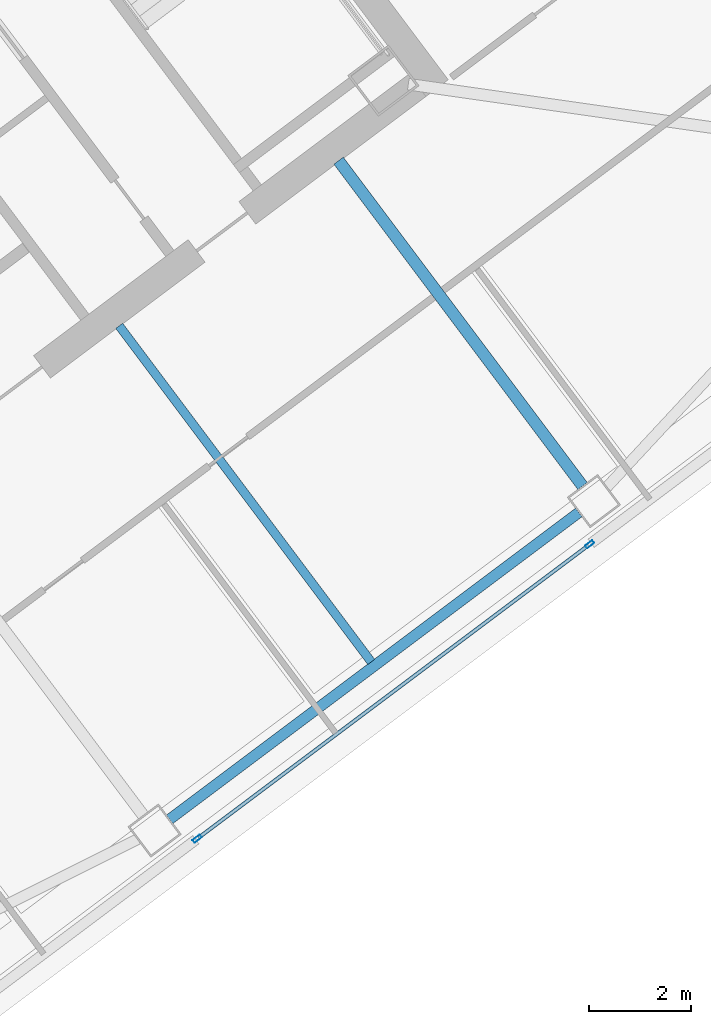
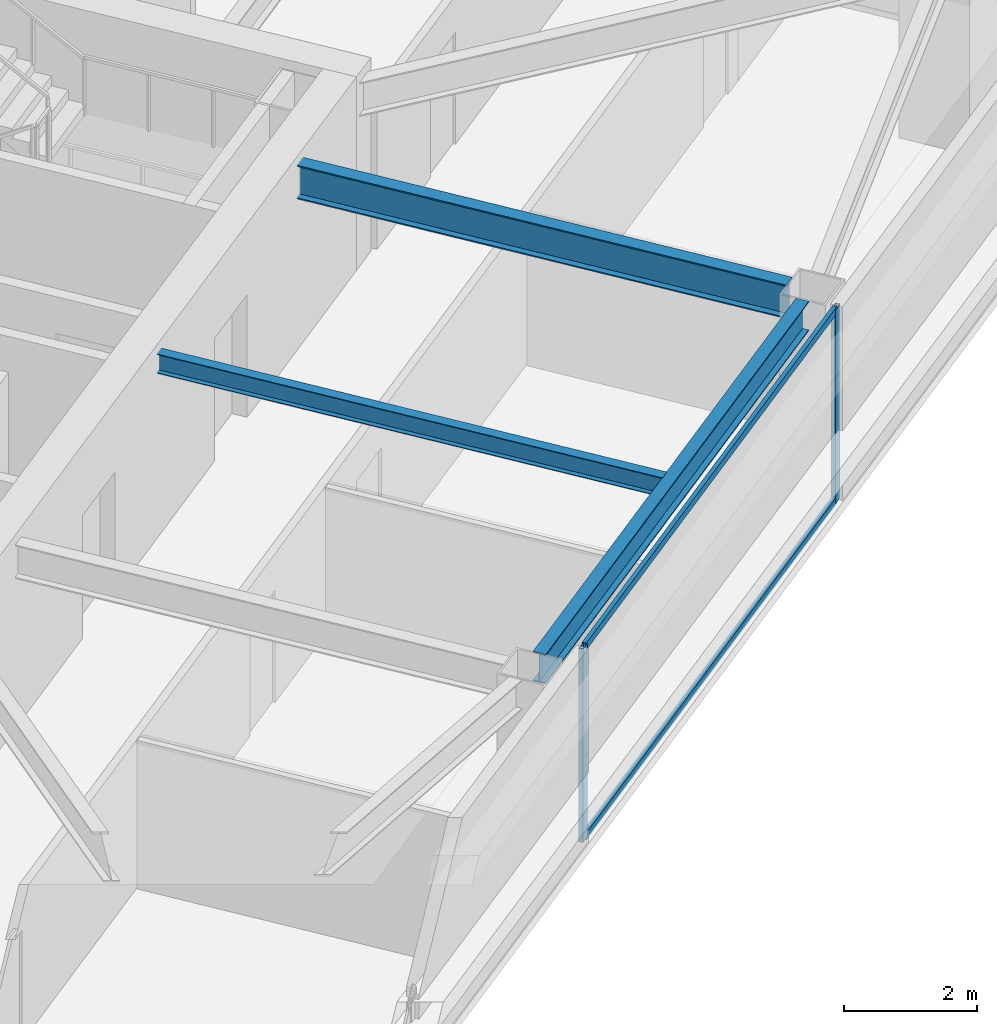
# One storey, part 22 of 41: 4 members, 3 beams, 1 element without a shape of its own.
"""IFC4 building model written with IfcOpenShell, lengths in metres."""

from ifc_helpers import new_model, si_unit, direction, frame, origin, origin_2d, place, context, subcontext, project, spatial, hollow_rectangle, i_section, extrude, material, material_profile, profile_set, type_object, element, aggregate, save


model = new_model("IFC4")

# Units and contexts
model_context = context("Model", 3, precision=1e-05, world=origin(), true_north=direction((0.0, 1.0)))
body_context = subcontext(model_context, "Body", "Model", "MODEL_VIEW")
ifc_project = project(units=[si_unit("LENGTHUNIT", "METRE"), si_unit("AREAUNIT", "SQUARE_METRE"), si_unit("VOLUMEUNIT", "CUBIC_METRE"), si_unit("PLANEANGLEUNIT", "RADIAN"), si_unit("MASSUNIT", "GRAM", prefix="KILO")], contexts=[model_context])

# Site, building, storey
site_placement = place(None, origin())
site = spatial("IfcSite", under=ifc_project, at=site_placement, CompositionType="ELEMENT")
building_placement = place(site_placement, origin())
building = spatial("IfcBuilding", under=site, at=building_placement, Name="Tashvorn Skyway Center", CompositionType="ELEMENT")
storey_placement = place(building_placement, frame((0.0, 0.0, 171.199951171875)))
storey = spatial("IfcBuildingStorey", under=building, at=storey_placement, Name="L46", CompositionType="ELEMENT", Elevation=171.199951171875)

# Beams
ifc_material_1 = material(Name="Steel ASTM A992 Grade 50", Category="steel")
ifc_material_profile_1 = material_profile(ifc_material_1, i_section(OverallWidth=0.22998046875, OverallDepth=0.616943359375, WebThickness=0.01318359375, FlangeThickness=0.022216796875, at=origin_2d()), Name="W24X94")
ifc_profile_set_1 = profile_set([ifc_material_profile_1], Name="Steel ASTM A992 Grade 50")
beam_type_1 = type_object("IfcBeamType", Name="BM-BEAM-W24X94", PredefinedType="BEAM", material=ifc_profile_set_1)
beam_1_placement = place(storey_placement, frame((127.7880859375, 22.615966796875, 3.0615234375), z_axis=(-0.599995117266, 0.800003662027, 0.0), x_axis=(-0.800003662027, -0.599995117266, 0.0)))
element("IfcBeam", 1, at=beam_1_placement, inside=storey, type_object=beam_type_1, Name="Tower 2 L46 Primary Floor Girder FC-S2", PredefinedType="BEAM", context=body_context, shape_type="SweptSolid", body=[
    extrude(i_section(OverallWidth=0.22998046875, OverallDepth=0.616943359375, WebThickness=0.01318359375, FlangeThickness=0.022216796875, at=origin_2d()), origin(), (0.0, 0.0, 1.0), 8.000244140625),
])
ifc_material_profile_2 = material_profile(ifc_material_1, i_section(OverallWidth=0.1708984375, OverallDepth=0.35498046875, WebThickness=0.007080078125, FlangeThickness=0.01171875, at=origin_2d()), Name="W14X34")
ifc_profile_set_2 = profile_set([ifc_material_profile_2], Name="Steel ASTM A992 Grade 50")
beam_type_2 = type_object("IfcBeamType", Name="BM-JOIST-W14X34", PredefinedType="JOIST", material=ifc_profile_set_2)
beam_2_placement = place(storey_placement, frame((118.674072265625, 25.76806640625, 3.192626953125), z_axis=(0.59999527236, -0.800003545708, 0.0), x_axis=(0.800003545708, 0.59999527236, 0.0)))
element("IfcBeam", 2, at=beam_2_placement, inside=storey, type_object=beam_type_2, Name="Tower 2 L46 Secondary Composite Joist JS", PredefinedType="JOIST", context=body_context, shape_type="SweptSolid", body=[
    extrude(i_section(OverallWidth=0.1708984375, OverallDepth=0.35498046875, WebThickness=0.007080078125, FlangeThickness=0.01171875, at=origin_2d()), origin(), (0.0, 0.0, 1.0), 8.2626953125),
])
ifc_material_profile_3 = material_profile(ifc_material_1, i_section(OverallWidth=0.2109375, OverallDepth=0.5390625, WebThickness=0.01171875, FlangeThickness=0.018798828125, at=origin_2d()), Name="W21X73")
ifc_profile_set_3 = profile_set([ifc_material_profile_3], Name="Steel ASTM A992 Grade 50")
beam_type_3 = type_object("IfcBeamType", Name="BM-SPANDREL-W21X73", PredefinedType="SPANDREL", material=ifc_profile_set_3)
beam_3_placement = place(storey_placement, frame((119.666015625, 16.06201171875, 3.1005859375), z_axis=(0.800008736549, 0.599988351091, 0.0), x_axis=(-0.599988351091, 0.800008736549, 0.0)))
element("IfcBeam", 3, at=beam_3_placement, inside=storey, type_object=beam_type_3, Name="Tower 2 L46 Spandrel Beam 02", PredefinedType="SPANDREL", context=body_context, shape_type="SweptSolid", body=[
    extrude(i_section(OverallWidth=0.2109375, OverallDepth=0.5390625, WebThickness=0.01171875, FlangeThickness=0.018798828125, at=origin_2d()), origin(), (0.0, 0.0, 1.0), 10.06005859375),
])

# Curtain wall, members
ifc_material_2 = material(Name="Thermally broken bronze-anodized aluminium 6063-T6", Category="aluminium")
curtain_wall_type = type_object("IfcCurtainWallType", Name="CW-CW-Z4", PredefinedType="NOTDEFINED", material=ifc_material_2)
curtain_wall_placement = place(storey_placement, origin())
curtain_wall = element("IfcCurtainWall", 4, at=curtain_wall_placement, inside=storey, type_object=curtain_wall_type, Name="Tower 2 L46 South Unitised Curtain Wall Glazing Group 2", PredefinedType="NOTDEFINED")
ifc_material_profile_4 = material_profile(ifc_material_2, hollow_rectangle(XDim=0.070068359375, YDim=0.179931640625, WallThickness=0.00390625, at=origin_2d()), Name="ALU-MULL-70x180")
ifc_profile_set_4 = profile_set([ifc_material_profile_4], Name="Thermally broken bronze-anodized aluminium 6063-T6")
member_type_1 = type_object("IfcMemberType", Name="CWM-CW-Z4", PredefinedType="MULLION", material=ifc_profile_set_4)
member_1_placement = place(storey_placement, frame((127.927978515625, 21.470947265625, 0.0), z_axis=(0.0, 0.0, 1.0), x_axis=(0.600000000002, -0.799999999998, 0.0)))
member_1 = element("IfcMember", 5, at=member_1_placement, type_object=member_type_1, Name="CW-Z4 mullion 1", PredefinedType="MULLION", context=body_context, shape_type="SweptSolid", body=[
    extrude(hollow_rectangle(XDim=0.070068359375, YDim=0.179931640625, WallThickness=0.00390625, at=origin_2d()), origin(), (0.0, 0.0, 1.0), 3.550048828125),
])
member_2_placement = place(storey_placement, frame((120.2080078125, 15.680908203125, 0.0), z_axis=(0.0, 0.0, 1.0), x_axis=(0.600000000002, -0.799999999998, 0.0)))
member_2 = element("IfcMember", 6, at=member_2_placement, type_object=member_type_1, Name="CW-Z4 mullion 2", PredefinedType="MULLION", context=body_context, shape_type="SweptSolid", body=[
    extrude(hollow_rectangle(XDim=0.070068359375, YDim=0.179931640625, WallThickness=0.00390625, at=origin_2d()), origin(), (0.0, 0.0, 1.0), 3.550048828125),
])
ifc_material_profile_5 = material_profile(ifc_material_2, hollow_rectangle(XDim=0.070068359375, YDim=0.1298828125, WallThickness=0.00390625, at=origin_2d()), Name="ALU-TRAN-70x130")
ifc_profile_set_5 = profile_set([ifc_material_profile_5], Name="Thermally broken bronze-anodized aluminium 6063-T6")
member_type_2 = type_object("IfcMemberType", Name="CWT-CW-Z4", PredefinedType="USERDEFINED", material=ifc_profile_set_5)
member_3_placement = place(storey_placement, frame((127.89990234375, 21.449951171875, 0.03515625), z_axis=(-0.799990825408, -0.600012232595, 0.0), x_axis=(0.600012232595, -0.799990825408, 0.0)))
member_3 = element("IfcMember", 7, at=member_3_placement, type_object=member_type_2, Name="CW-Z4 transom 1.1", ObjectType="TRANSOM", PredefinedType="USERDEFINED", context=body_context, shape_type="SweptSolid", body=[
    extrude(hollow_rectangle(XDim=0.070068359375, YDim=0.1298828125, WallThickness=0.00390625, at=origin_2d()), origin(), (0.0, 0.0, 1.0), 9.579833984375),
])
member_4_placement = place(storey_placement, frame((127.89990234375, 21.449951171875, 3.51513671875), z_axis=(-0.799990825408, -0.600012232595, 0.0), x_axis=(0.600012232595, -0.799990825408, 0.0)))
member_4 = element("IfcMember", 8, at=member_4_placement, type_object=member_type_2, Name="CW-Z4 transom 1.2", ObjectType="TRANSOM", PredefinedType="USERDEFINED", context=body_context, shape_type="SweptSolid", body=[
    extrude(hollow_rectangle(XDim=0.070068359375, YDim=0.1298828125, WallThickness=0.00390625, at=origin_2d()), origin(), (0.0, 0.0, 1.0), 9.579833984375),
])
aggregate(curtain_wall, [member_1, member_2, member_3, member_4])

save(model, "model.ifc")
